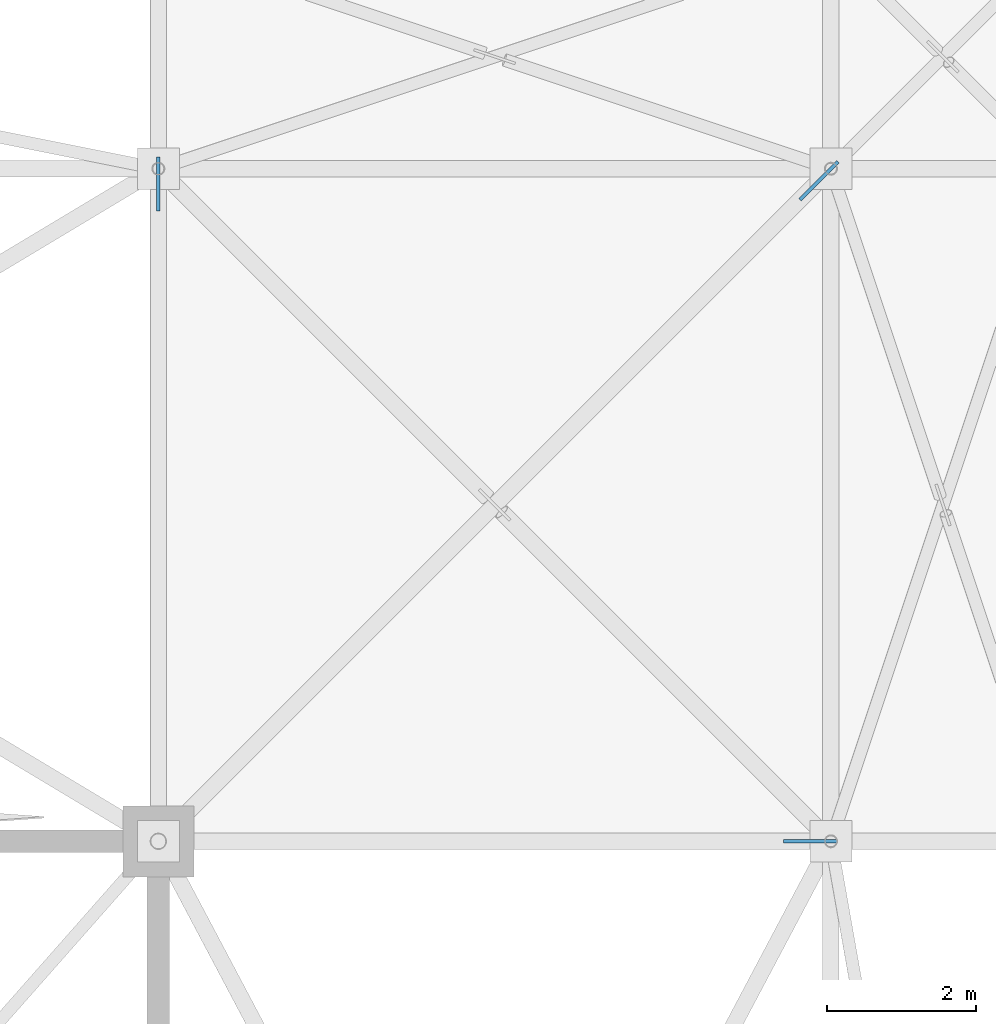
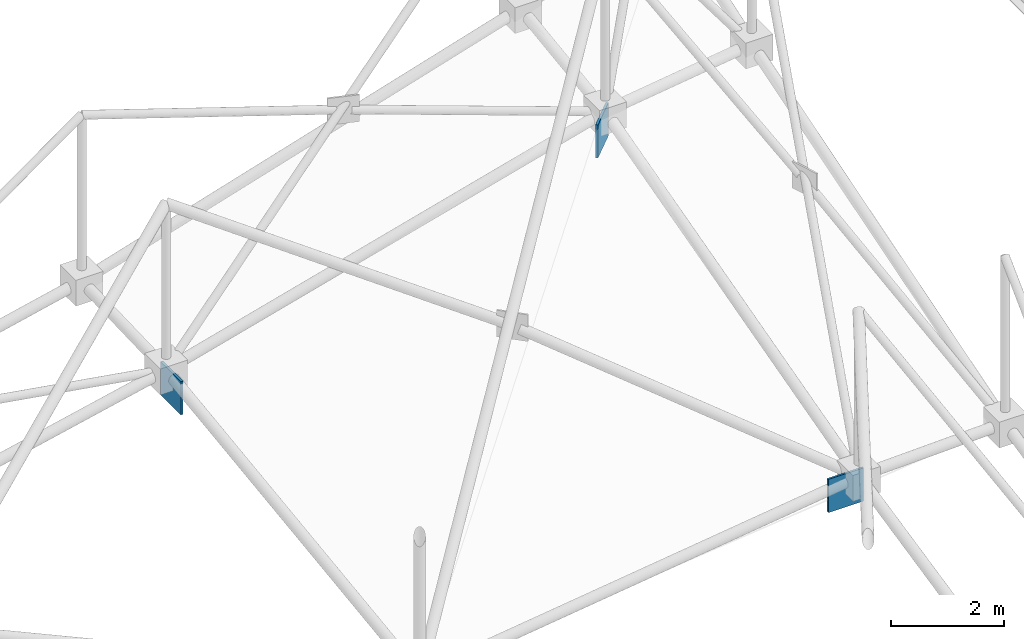
# One storey, part 174 of 224: 3 plates.
"""IFC4 building model written with IfcOpenShell, lengths in metres."""

from ifc_helpers import new_model, si_unit, direction, frame, origin, origin_2d, place, context, subcontext, project, spatial, rectangle, extrude, material, layer, layer_set, type_object, element, save


model = new_model("IFC4")

# Units and contexts
model_context = context("Model", 3, precision=1e-05, world=origin(), true_north=direction((0.0, 1.0)))
body_context = subcontext(model_context, "Body", "Model", "MODEL_VIEW")
ifc_project = project(units=[si_unit("LENGTHUNIT", "METRE"), si_unit("AREAUNIT", "SQUARE_METRE"), si_unit("VOLUMEUNIT", "CUBIC_METRE"), si_unit("PLANEANGLEUNIT", "RADIAN"), si_unit("MASSUNIT", "GRAM", prefix="KILO")], contexts=[model_context])

# Site, building, storey
site_placement = place(None, origin())
site = spatial("IfcSite", under=ifc_project, at=site_placement, CompositionType="ELEMENT")
building_placement = place(site_placement, origin())
building = spatial("IfcBuilding", under=site, at=building_placement, Name="Qamarlyn Nura Convention Centre", CompositionType="ELEMENT")
storey_placement = place(building_placement, frame((0.0, 0.0, 10.800048828125)))
storey = spatial("IfcBuildingStorey", under=building, at=storey_placement, Name="L02", CompositionType="ELEMENT", Elevation=10.800048828125)

# Plates
ifc_material = material(Name="Structural steel ASTM A572 Grade 50", Category="steel")
ifc_layer_1 = layer(ifc_material, 0.0419921875, Name="GP-SN2")
ifc_layer_set_1 = layer_set([ifc_layer_1], Name="Structural steel ASTM A572 Grade 50")
plate_type_1 = type_object("IfcPlateType", Name="GP-SN2", PredefinedType="USERDEFINED", material=ifc_layer_set_1)
plate_placement = place(storey_placement, frame((128.724609375, 103.0, 5.9462890625), z_axis=(0.0, 0.0, 1.0), x_axis=(1.0, 0.0, 0.0)))
element("IfcPlate", 1, at=plate_placement, inside=storey, type_object=plate_type_1, Name="Tree strut gusset plate E-7-H", ObjectType="GUSSET PLATE", PredefinedType="USERDEFINED", context=body_context, shape_type="SweptSolid", body=[
    extrude(rectangle(XDim=0.719970703125, YDim=0.0419921875, at=origin_2d()), origin(), (0.0, 0.0, 1.0), 0.719970703125),
])
ifc_layer_2 = layer(ifc_material, 0.048095703125, Name="GP-SN3")
ifc_layer_set_2 = layer_set([ifc_layer_2], Name="Structural steel ASTM A572 Grade 50")
plate_type_2 = type_object("IfcPlateType", Name="GP-SN3", PredefinedType="USERDEFINED", material=ifc_layer_set_2)
for number, where, z_axis, x_axis, name in (
    (2, (120.0, 111.794921875, 5.87451171875), (0.0, 0.0, 1.0), (0.0, 1.0, 0.0), "Tree strut gusset plate N-10-H"),
    (3, (128.840576171875, 111.840576171875, 8.33642578125), (0.0, 0.0, 1.0), (0.707106781187, 0.707106781187, 0.0), "Tree strut gusset plate NE-CRN-H"),
):
    element("IfcPlate", number, at=place(storey_placement, frame(where, z_axis=z_axis, x_axis=x_axis)), inside=storey, type_object=plate_type_2, Name=name, ObjectType="GUSSET PLATE", PredefinedType="USERDEFINED", context=body_context, shape_type="SweptSolid", body=[
        extrude(rectangle(XDim=0.719970703125, YDim=0.048095703125, at=origin_2d()), origin(), (0.0, 0.0, 1.0), 0.719970703125),
    ])

save(model, "model.ifc")
